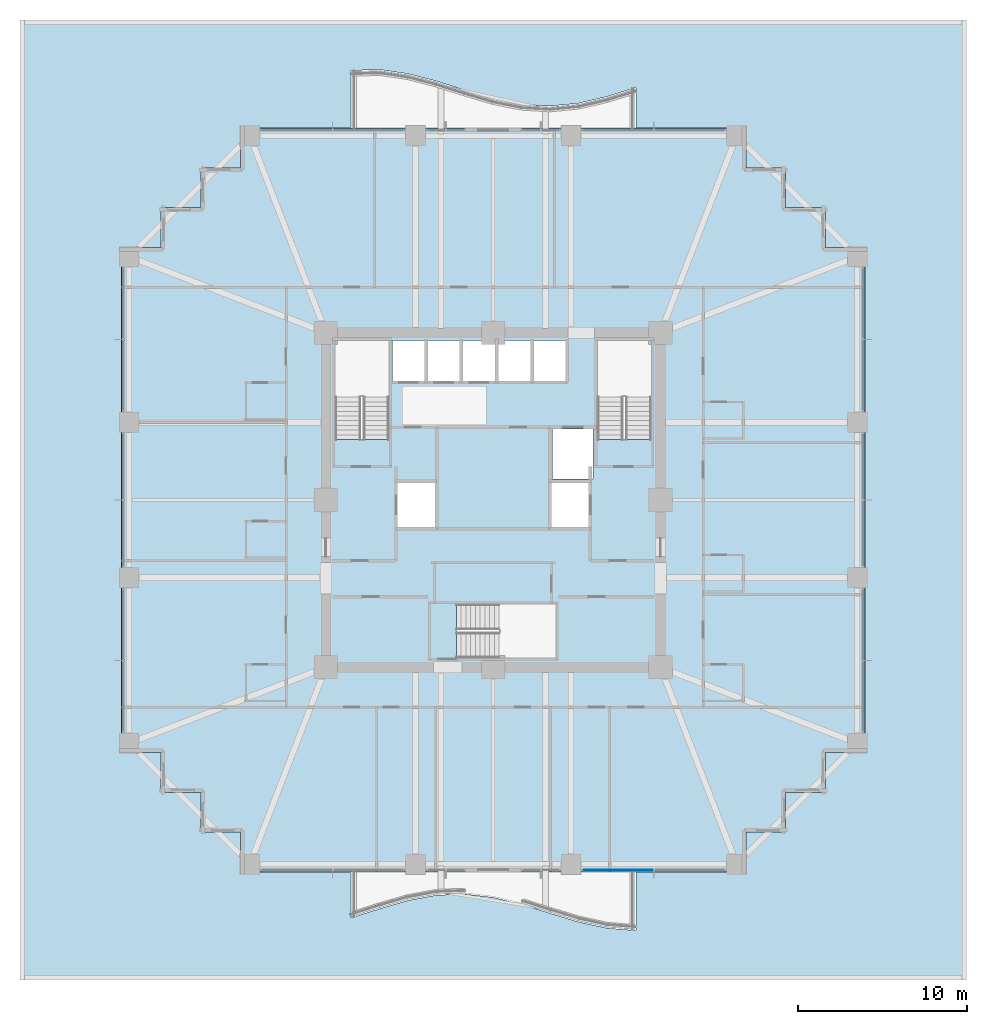
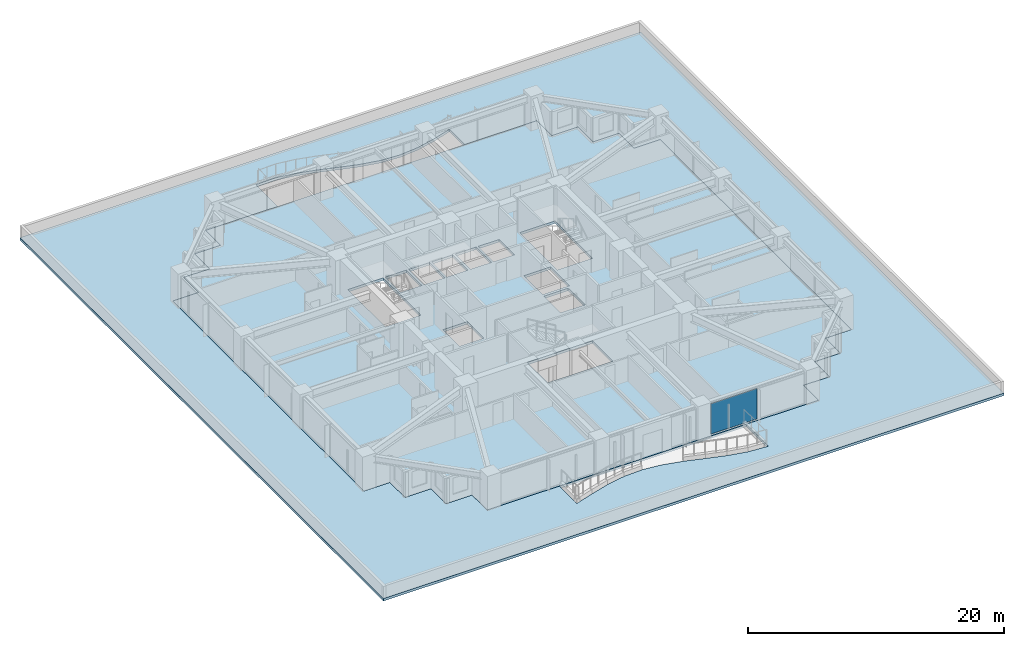
# One storey, part 26 of 36: 2 slabs, 1 plate, 1 element without a shape of its own.
"""IFC4 building model written with IfcOpenShell, lengths in metres."""

from ifc_helpers import new_model, si_unit, direction, frame, origin, origin_2d, place, context, subcontext, project, spatial, polyline, rectangle, outline, extrude, material, layer, layer_set, type_object, element, aggregate, save


model = new_model("IFC4")

# Units and contexts
model_context = context("Model", 3, precision=1e-05, world=origin(), true_north=direction((0.0, 1.0)))
body_context = subcontext(model_context, "Body", "Model", "MODEL_VIEW")
ifc_project = project(units=[si_unit("LENGTHUNIT", "METRE"), si_unit("AREAUNIT", "SQUARE_METRE"), si_unit("VOLUMEUNIT", "CUBIC_METRE"), si_unit("PLANEANGLEUNIT", "RADIAN"), si_unit("MASSUNIT", "GRAM", prefix="KILO")], contexts=[model_context])

# Site, building, storey
site_placement = place(None, origin())
site = spatial("IfcSite", under=ifc_project, at=site_placement, CompositionType="ELEMENT")
building_placement = place(site_placement, origin())
building = spatial("IfcBuilding", under=site, at=building_placement, Name="Kolvaren Belvedere", CompositionType="ELEMENT")
storey_placement = place(building_placement, frame((0.0, 0.0, 23.800048828125)))
storey = spatial("IfcBuildingStorey", under=building, at=storey_placement, Name="L06", CompositionType="ELEMENT", Elevation=23.800048828125)

# Curtain wall, plate
ifc_material_1 = material(Name="Anodised pale-metal aluminium AA 6063-T6", Category="aluminium")
curtain_wall_type = type_object("IfcCurtainWallType", Name="CW-Z1-LOW", PredefinedType="NOTDEFINED", material=ifc_material_1)
curtain_wall_placement = place(storey_placement, origin())
curtain_wall = element("IfcCurtainWall", 1, at=curtain_wall_placement, inside=storey, type_object=curtain_wall_type, Name="L06 Unitised Curtain Wall FCW-L06-S1-B1", PredefinedType="NOTDEFINED")
ifc_material_2 = material(Name="Low-iron triple insulated glass", Category="glass")
ifc_layer_1 = layer(ifc_material_2, 0.028076171875)
ifc_layer_set_1 = layer_set([ifc_layer_1], Name="Low-iron triple insulated glass")
plate_type = type_object("IfcPlateType", Name="CW-PNL-VIS28", PredefinedType="CURTAIN_PANEL", material=ifc_layer_set_1)
plate_placement = place(storey_placement, frame((7.37744140625, -21.8798828125, 0.080078125), z_axis=(0.0, 0.0, 1.0), x_axis=(-1.0, 0.0, 0.0)))
plate = element("IfcPlate", 2, at=plate_placement, type_object=plate_type, Name="FCW-L06-S1-B1 Vision Glazing Panel 2", PredefinedType="CURTAIN_PANEL", context=body_context, shape_type="SweptSolid", body=[
    extrude(rectangle(XDim=4.1650390625, YDim=0.028076171875, at=origin_2d()), origin(), (0.0, 0.0, 1.0), 2.89990234375),
])
aggregate(curtain_wall, [plate])

# Slabs
ifc_material_3 = material(Name="Concrete C50/60", Category="concrete")
ifc_layer_2 = layer(ifc_material_3, 0.239990234375)
ifc_layer_set_2 = layer_set([ifc_layer_2], Name="Concrete C50/60")
slab_type_1 = type_object("IfcSlabType", Name="SL-FLR-240", PredefinedType="FLOOR", material=ifc_layer_set_2)
slab_1_placement = place(storey_placement, frame((0.0, 0.0, -0.239990234375)))
element("IfcSlab", 3, at=slab_1_placement, inside=storey, type_object=slab_type_1, Name="L06 Primary Structural Slab", PredefinedType="FLOOR", context=body_context, shape_type="SweptSolid", body=[
    extrude(outline(polyline([(-14.949951171875, -22.0), (14.949951171875, -22.0), (14.949951171875, -19.64990234375), (17.300048828125, -19.64990234375), (17.300048828125, -17.300048828125), (19.64990234375, -17.300048828125), (19.64990234375, -14.949951171875), (22.0, -14.949951171875), (22.0, 14.949951171875), (19.64990234375, 14.949951171875), (19.64990234375, 17.300048828125), (17.300048828125, 17.300048828125), (17.300048828125, 19.64990234375), (14.949951171875, 19.64990234375), (14.949951171875, 22.0), (-14.949951171875, 22.0), (-14.949951171875, 19.64990234375), (-17.300048828125, 19.64990234375), (-17.300048828125, 17.300048828125), (-19.64990234375, 17.300048828125), (-19.64990234375, 14.949951171875), (-22.0, 14.949951171875), (-22.0, -14.949951171875), (-19.64990234375, -14.949951171875), (-19.64990234375, -17.300048828125), (-17.300048828125, -17.300048828125), (-17.300048828125, -19.64990234375), (-14.949951171875, -19.64990234375), (-14.949951171875, -22.0)]), holes=[polyline([(-9.35009765625, 3.580078125), (-6.159912109375, 3.580078125), (-6.159912109375, 9.449951171875), (-9.35009765625, 9.449951171875), (-9.35009765625, 3.580078125)]), polyline([(6.159912109375, 3.580078125), (9.35009765625, 3.580078125), (9.35009765625, 9.449951171875), (6.159912109375, 9.449951171875), (6.159912109375, 3.580078125)]), polyline([(-2.169921875, -9.35009765625), (3.699951171875, -9.35009765625), (3.699951171875, -6.159912109375), (-2.169921875, -6.159912109375), (-2.169921875, -9.35009765625)]), polyline([(-5.64990234375, -1.60009765625), (-3.449951171875, -1.60009765625), (-3.449951171875, 1.0), (-5.64990234375, 1.0), (-5.64990234375, -1.60009765625)]), polyline([(3.5, 1.25), (5.89990234375, 1.25), (5.89990234375, 4.199951171875), (3.5, 4.199951171875), (3.5, 1.25)]), polyline([(3.449951171875, -1.60009765625), (5.64990234375, -1.60009765625), (5.64990234375, 1.0), (3.449951171875, 1.0), (3.449951171875, -1.60009765625)]), polyline([(-5.9599609375, 7.050048828125), (-4.06005859375, 7.050048828125), (-4.06005859375, 9.449951171875), (-5.9599609375, 9.449951171875), (-5.9599609375, 7.050048828125)]), polyline([(-3.8798828125, 7.050048828125), (-1.97998046875, 7.050048828125), (-1.97998046875, 9.449951171875), (-3.8798828125, 9.449951171875), (-3.8798828125, 7.050048828125)]), polyline([(-1.800048828125, 7.050048828125), (0.10009765625, 7.050048828125), (0.10009765625, 9.449951171875), (-1.800048828125, 9.449951171875), (-1.800048828125, 7.050048828125)]), polyline([(0.320068359375, 7.050048828125), (2.219970703125, 7.050048828125), (2.219970703125, 9.449951171875), (0.320068359375, 9.449951171875), (0.320068359375, 7.050048828125)]), polyline([(2.39990234375, 7.050048828125), (4.300048828125, 7.050048828125), (4.300048828125, 9.449951171875), (2.39990234375, 9.449951171875), (2.39990234375, 7.050048828125)])]), origin(), (0.0, 0.0, 1.0), 0.239990234375),
])
ifc_material_4 = material(Name="Concrete C50/60", Category="concrete")
ifc_layer_3 = layer(ifc_material_4, 0.239990234375)
ifc_layer_set_3 = layer_set([ifc_layer_3], Name="Concrete C50/60")
slab_type_2 = type_object("IfcSlabType", Name="SL-ROOF-240", PredefinedType="ROOF", material=ifc_layer_set_3)
slab_2_placement = place(storey_placement, frame((0.0, 0.0, -0.239990234375)))
element("IfcSlab", 4, at=slab_2_placement, inside=storey, type_object=slab_type_2, Name="L06 Podium Setback Roof Slab", PredefinedType="ROOF", context=body_context, shape_type="SweptSolid", body=[
    extrude(outline(polyline([(-28.0, -28.39990234375), (28.0, -28.39990234375), (28.0, 28.39990234375), (-28.0, 28.39990234375), (-28.0, -28.39990234375)]), holes=[polyline([(-8.43994140625, -22.0), (-14.949951171875, -22.0), (-14.949951171875, -19.64990234375), (-17.300048828125, -19.64990234375), (-17.300048828125, -17.300048828125), (-19.64990234375, -17.300048828125), (-19.64990234375, -14.949951171875), (-22.0, -14.949951171875), (-22.0, 14.949951171875), (-19.64990234375, 14.949951171875), (-19.64990234375, 17.300048828125), (-17.300048828125, 17.300048828125), (-17.300048828125, 19.64990234375), (-14.949951171875, 19.64990234375), (-14.949951171875, 22.0), (-8.43994140625, 22.0), (-8.43994140625, 25.3671875), (-8.439697265625, 25.370849609375), (-8.439208984375, 25.374755859375), (-8.438232421875, 25.37841796875), (-8.43701171875, 25.382080078125), (-8.435546875, 25.385498046875), (-8.43359375, 25.388916015625), (-8.431396484375, 25.39208984375), (-8.4287109375, 25.39501953125), (-8.42578125, 25.397705078125), (-8.4228515625, 25.39990234375), (-8.419677734375, 25.402099609375), (-8.416259765625, 25.40380859375), (-8.41259765625, 25.405029296875), (-8.408935546875, 25.406005859375), (-8.405029296875, 25.40673828125), (-8.4013671875, 25.406982421875), (-6.72119140625, 25.4599609375), (-6.7177734375, 25.4599609375), (-6.714111328125, 25.459716796875), (-5.0341796875, 25.2119140625), (-5.030029296875, 25.2109375), (-3.35009765625, 24.7763671875), (-3.347900390625, 24.775634765625), (-1.668212890625, 24.242919921875), (0.009765625, 23.743896484375), (1.685302734375, 23.402587890625), (3.359130859375, 23.30224609375), (5.033447265625, 23.467529296875), (6.70947265625, 23.8583984375), (8.38818359375, 24.378173828125), (8.39208984375, 24.379150390625), (8.39599609375, 24.3798828125), (8.39990234375, 24.3798828125), (8.40380859375, 24.3798828125), (8.40771484375, 24.37939453125), (8.41162109375, 24.37841796875), (8.415283203125, 24.376953125), (8.418701171875, 24.375244140625), (8.422119140625, 24.373291015625), (8.42529296875, 24.37109375), (8.42822265625, 24.368408203125), (8.430908203125, 24.365478515625), (8.43310546875, 24.3623046875), (8.435302734375, 24.35888671875), (8.43701171875, 24.35546875), (8.438232421875, 24.3515625), (8.439208984375, 24.347900390625), (8.439697265625, 24.343994140625), (8.43994140625, 24.340087890625), (8.43994140625, 22.0), (14.949951171875, 22.0), (14.949951171875, 19.64990234375), (17.300048828125, 19.64990234375), (17.300048828125, 17.300048828125), (19.64990234375, 17.300048828125), (19.64990234375, 14.949951171875), (22.0, 14.949951171875), (22.0, -14.949951171875), (19.64990234375, -14.949951171875), (19.64990234375, -17.300048828125), (17.300048828125, -17.300048828125), (17.300048828125, -19.64990234375), (14.949951171875, -19.64990234375), (14.949951171875, -22.0), (8.43994140625, -22.0), (8.43994140625, -25.419921875), (8.439697265625, -25.423828125), (8.439208984375, -25.427734375), (8.438232421875, -25.431396484375), (8.43701171875, -25.43505859375), (8.435302734375, -25.438720703125), (8.433349609375, -25.44189453125), (8.43115234375, -25.445068359375), (8.428466796875, -25.447998046875), (8.42578125, -25.45068359375), (8.422607421875, -25.452880859375), (8.419189453125, -25.455078125), (8.415771484375, -25.456787109375), (8.412109375, -25.4580078125), (8.408447265625, -25.458984375), (8.404541015625, -25.459716796875), (8.400634765625, -25.4599609375), (8.396728515625, -25.4599609375), (6.716796875, -25.326416015625), (6.71142578125, -25.325439453125), (5.031494140625, -24.957763671875), (5.0283203125, -24.95703125), (3.348388671875, -24.446044921875), (3.347900390625, -24.446044921875), (1.669189453125, -23.918701171875), (-0.007080078125, -23.505615234375), (-1.681396484375, -23.30859375), (-3.35546875, -23.375732421875), (-5.03076171875, -23.690673828125), (-6.70849609375, -24.17578125), (-8.3876953125, -24.7119140625), (-8.3916015625, -24.712890625), (-8.3955078125, -24.71337890625), (-8.3994140625, -24.713623046875), (-8.403564453125, -24.71337890625), (-8.407470703125, -24.712890625), (-8.4111328125, -24.712158203125), (-8.4150390625, -24.710693359375), (-8.418701171875, -24.708984375), (-8.422119140625, -24.70703125), (-8.42529296875, -24.704833984375), (-8.427978515625, -24.7021484375), (-8.430908203125, -24.69921875), (-8.43310546875, -24.696044921875), (-8.435302734375, -24.692626953125), (-8.43701171875, -24.689208984375), (-8.438232421875, -24.685302734375), (-8.439208984375, -24.681640625), (-8.439697265625, -24.677734375), (-8.43994140625, -24.673583984375), (-8.43994140625, -22.0)])]), origin(), (0.0, 0.0, 1.0), 0.239990234375),
])

save(model, "model.ifc")
